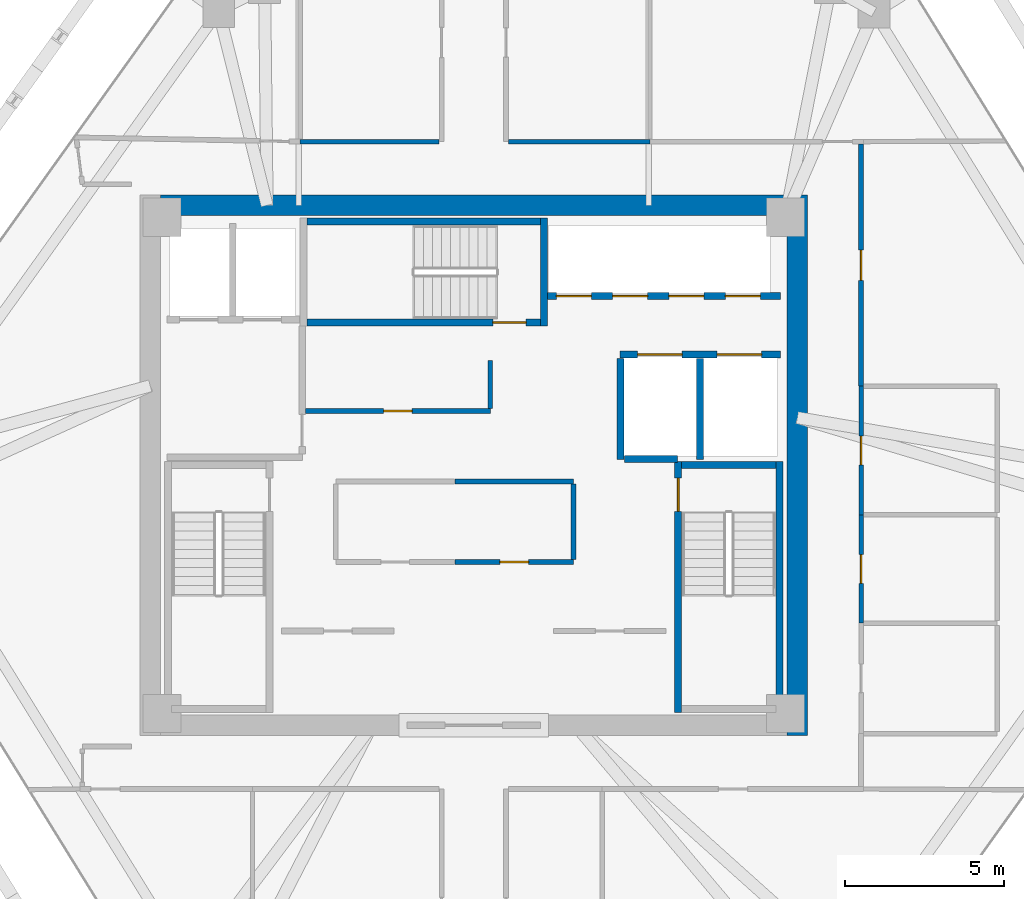
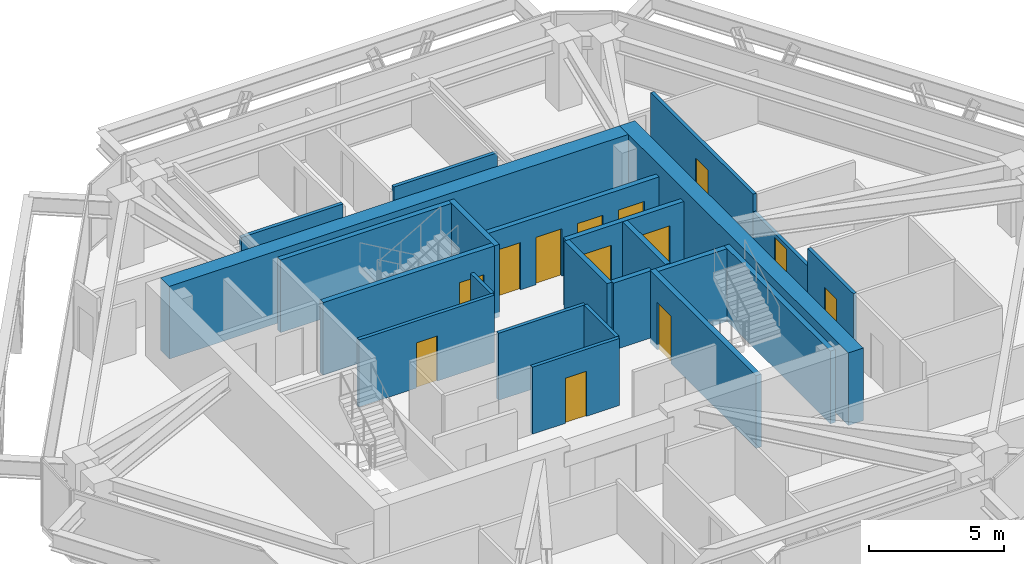
# One storey, part 9 of 11: 23 walls, 13 doors, 13 openings.
"""IFC4 building model written with IfcOpenShell, lengths in metres."""

from ifc_helpers import new_model, si_unit, direction, frame, frame_2d, origin, place, context, subcontext, project, spatial, rectangle, extrude, source, transform, mapped, material, layer, layer_set, type_object, type_shapes, element, fill, save


model = new_model("IFC4")

# Units and contexts
model_context = context("Model", 3, precision=1e-05, world=origin(), true_north=direction((0.0, 1.0)))
body_context = subcontext(model_context, "Body", "Model", "MODEL_VIEW")
ifc_project = project(units=[si_unit("LENGTHUNIT", "METRE"), si_unit("AREAUNIT", "SQUARE_METRE"), si_unit("VOLUMEUNIT", "CUBIC_METRE"), si_unit("PLANEANGLEUNIT", "RADIAN"), si_unit("MASSUNIT", "GRAM", prefix="KILO")], contexts=[model_context])

# Site, building, storey
site_placement = place(None, origin())
site = spatial("IfcSite", under=ifc_project, at=site_placement, CompositionType="ELEMENT")
building_placement = place(site_placement, origin())
building = spatial("IfcBuilding", under=site, at=building_placement, Name="Durnholm Broadcast Tower", CompositionType="ELEMENT")
storey_placement = place(building_placement, frame((0.0, 0.0, 183.699951171875)))
storey = spatial("IfcBuildingStorey", under=building, at=storey_placement, Name="L50", CompositionType="ELEMENT", Elevation=183.699951171875)

# Walls
ifc_material_1 = material(Name="Concrete C70/85", Category="concrete")
ifc_layer_1 = layer(ifc_material_1, 0.64990234375)
ifc_layer_set_1 = layer_set([ifc_layer_1], Name="Concrete C70/85")
wall_type_1 = type_object("IfcWallType", Name="WALL-CW-650", PredefinedType="SHEAR", material=ifc_layer_set_1)
wall_1_placement = place(storey_placement, frame((10.175048828125, -8.5, 0.0), z_axis=(0.0, 0.0, 1.0), x_axis=(0.0, 1.0, 0.0)))
element("IfcWall", 1, at=wall_1_placement, inside=storey, type_object=wall_type_1, Name="L50 central core shear wall CW-EAST", PredefinedType="SHEAR", context=body_context, shape_type="SweptSolid", body=[
    extrude(rectangle(XDim=17.0, YDim=0.64990234375, at=frame_2d((8.5, 0.0))), origin(), (0.0, 0.0, 1.0), 3.300048828125),
])
wall_2_placement = place(storey_placement, frame((-9.85009765625, 8.175048828125, 0.0), z_axis=(0.0, 0.0, 1.0), x_axis=(1.0, 0.0, 0.0)))
element("IfcWall", 2, at=wall_2_placement, inside=storey, type_object=wall_type_1, Name="L50 central core shear wall CW-N", PredefinedType="SHEAR", context=body_context, shape_type="SweptSolid", body=[
    extrude(rectangle(XDim=19.7001953125, YDim=0.64990234375, at=frame_2d((9.85009765625, 0.0))), origin(), (0.0, 0.0, 1.0), 3.300048828125),
])

# Wall, opening, door
ifc_material_2 = material(Name="Acoustic Gypsum Stud Partition", Category="concrete")
ifc_layer_2 = layer(ifc_material_2, 0.14990234375)
ifc_layer_set_2 = layer_set([ifc_layer_2], Name="Acoustic Gypsum Stud Partition")
wall_type_2 = type_object("IfcWallType", Name="WALL-PART-150", PredefinedType="PARTITIONING", material=ifc_layer_set_2)
wall_3_placement = place(storey_placement, frame((3.139892578125, -3.0400390625, 0.0), z_axis=(0.0, 0.0, 1.0), x_axis=(-1.0, 0.0, 0.0)))
wall_3 = element("IfcWall", 3, at=wall_3_placement, inside=storey, type_object=wall_type_2, Name="L50 High-Rise Refreshment Pantry corridor partition", PredefinedType="PARTITIONING", context=body_context, shape_type="SweptSolid", body=[
    extrude(rectangle(XDim=3.72998046875, YDim=0.14990234375, at=frame_2d((1.864990234375, 0.0))), origin(), (0.0, 0.0, 1.0), 3.045166015625),
])
opening_1_placement = place(wall_3_placement, frame((1.4150390625, 0.0, 0.0)))
opening_1 = element("IfcOpeningElement", 4, at=opening_1_placement, cuts=wall_3, Name="Opening DC-60R", PredefinedType="OPENING", context=body_context, shape_type="SweptSolid", body=[
    extrude(rectangle(XDim=0.89990234375, YDim=2.050048828125, at=frame_2d((0.449951171875, 1.02490234375))), frame((0.0, 0.0849609375, 0.0), z_axis=(0.0, -1.0, 0.0), x_axis=(1.0, 0.0, 0.0)), (0.0, 0.0, 1.0), 0.169921875),
])
ifc_material_3 = material(Name="Fire-Rated Core Service Door", Category="steel")
ifc_layer_3 = layer(ifc_material_3, 0.050048828125)
ifc_layer_set_3 = layer_set([ifc_layer_3], Name="Fire-Rated Core Service Door")
door_type_1 = type_object("IfcDoorType", Name="DOOR-CORE-FD60-R", OperationType="NOTDEFINED", PredefinedType="DOOR", material=ifc_layer_set_3)
shared_shape_1 = source(origin(), body_context, "Body", "SweptSolid", [
    extrude(rectangle(XDim=0.89990234375, YDim=2.050048828125, at=frame_2d((0.449951171875, 1.02490234375))), frame((0.0, 0.02490234375, 0.0), z_axis=(0.0, -1.0, 0.0), x_axis=(1.0, 0.0, 0.0)), (0.0, 0.0, 1.0), 0.050048828125),
])
type_shapes(door_type_1, [shared_shape_1])
door_1_placement = place(opening_1_placement, origin())
door_1 = element("IfcDoor", 5, at=door_1_placement, inside=storey, type_object=door_type_1, Name="L50 High-Rise Refreshment Pantry entrance door", OperationType="SINGLE_SWING_RIGHT", OverallHeight=2.050048828125, OverallWidth=0.89990234375, PredefinedType="DOOR", context=body_context, shape_type="MappedRepresentation", body=[
    mapped(shared_shape_1, transform((0.0, 0.0, 0.0), x_axis=(1.0, 0.0, 0.0), y_axis=(0.0, 1.0, 0.0), z_axis=(0.0, 0.0, 1.0), scale=1.0)),
])
fill(opening_1, door_1)

# Walls
wall_4_placement = place(storey_placement, frame((-0.590087890625, -0.510009765625, 0.0), z_axis=(0.0, 0.0, 1.0), x_axis=(1.0, 0.0, 0.0)))
element("IfcWall", 6, at=wall_4_placement, inside=storey, type_object=wall_type_2, Name="L50 High-Rise Refreshment Pantry corridor partition", PredefinedType="PARTITIONING", context=body_context, shape_type="SweptSolid", body=[
    extrude(rectangle(XDim=3.72998046875, YDim=0.14990234375, at=frame_2d((1.864990234375, 0.0))), origin(), (0.0, 0.0, 1.0), 3.045166015625),
])
wall_5_placement = place(storey_placement, frame((3.139892578125, -0.589111328125, 0.0), z_axis=(0.0, 0.0, 1.0), x_axis=(0.0, -1.0, 0.0)))
element("IfcWall", 7, at=wall_5_placement, inside=storey, type_object=wall_type_2, Name="L50 High-Rise Refreshment Pantry corridor partition", PredefinedType="PARTITIONING", context=body_context, shape_type="SweptSolid", body=[
    extrude(rectangle(XDim=2.371826171875, YDim=0.14990234375, at=frame_2d((1.18603515625, 0.0))), origin(), (0.0, 0.0, 1.0), 3.045166015625),
])

# Wall, opening, door
wall_6_placement = place(storey_placement, frame((0.52001953125, 1.7099609375, 0.0), z_axis=(0.0, 0.0, 1.0), x_axis=(-1.0, 0.0, 0.0)))
wall_6 = element("IfcWall", 8, at=wall_6_placement, inside=storey, type_object=wall_type_2, Name="L50 Core Housekeeping Room corridor partition", PredefinedType="PARTITIONING", context=body_context, shape_type="SweptSolid", body=[
    extrude(rectangle(XDim=5.81591796875, YDim=0.14990234375, at=frame_2d((2.907958984375, 0.0))), origin(), (0.0, 0.0, 1.0), 3.045166015625),
])
opening_2_placement = place(wall_6_placement, frame((2.4580078125, 0.0, 0.0)))
opening_2 = element("IfcOpeningElement", 9, at=opening_2_placement, cuts=wall_6, Name="Opening DC-60L", PredefinedType="OPENING", context=body_context, shape_type="SweptSolid", body=[
    extrude(rectangle(XDim=0.89990234375, YDim=2.050048828125, at=frame_2d((0.449951171875, 1.02490234375))), frame((0.0, 0.0849609375, 0.0), z_axis=(0.0, -1.0, 0.0), x_axis=(1.0, 0.0, 0.0)), (0.0, 0.0, 1.0), 0.169921875),
])
ifc_layer_4 = layer(ifc_material_3, 0.050048828125)
ifc_layer_set_4 = layer_set([ifc_layer_4], Name="Fire-Rated Core Service Door")
door_type_2 = type_object("IfcDoorType", Name="DOOR-CORE-FD60-L", OperationType="NOTDEFINED", PredefinedType="DOOR", material=ifc_layer_set_4)
shared_shape_2 = source(origin(), body_context, "Body", "SweptSolid", [
    extrude(rectangle(XDim=0.89990234375, YDim=2.050048828125, at=frame_2d((0.449951171875, 1.02490234375))), frame((0.0, 0.02490234375, 0.0), z_axis=(0.0, -1.0, 0.0), x_axis=(1.0, 0.0, 0.0)), (0.0, 0.0, 1.0), 0.050048828125),
])
type_shapes(door_type_2, [shared_shape_2])
door_2_placement = place(opening_2_placement, origin())
door_2 = element("IfcDoor", 10, at=door_2_placement, inside=storey, type_object=door_type_2, Name="L50 Core Housekeeping Room entrance door", OperationType="SINGLE_SWING_LEFT", OverallHeight=2.050048828125, OverallWidth=0.89990234375, PredefinedType="DOOR", context=body_context, shape_type="MappedRepresentation", body=[
    mapped(shared_shape_2, transform((0.0, 0.0, 0.0), x_axis=(1.0, 0.0, 0.0), y_axis=(0.0, 1.0, 0.0), z_axis=(0.0, 0.0, 1.0), scale=1.0)),
])
fill(opening_2, door_2)

# Walls
wall_7_placement = place(storey_placement, frame((0.52001953125, 3.300048828125, 0.0), z_axis=(0.0, 0.0, 1.0), x_axis=(0.0, -1.0, 0.0)))
element("IfcWall", 11, at=wall_7_placement, inside=storey, type_object=wall_type_2, Name="L50 Core Housekeeping Room corridor partition", PredefinedType="PARTITIONING", context=body_context, shape_type="SweptSolid", body=[
    extrude(rectangle(XDim=1.510986328125, YDim=0.14990234375, at=frame_2d((0.75537109375, 0.0))), origin(), (0.0, 0.0, 1.0), 3.045166015625),
])
wall_8_placement = place(storey_placement, frame((-1.089111328125, 10.179931640625, 0.0), z_axis=(0.0, 0.0, 1.0), x_axis=(-1.0, 0.0, 0.0)))
element("IfcWall", 12, at=wall_8_placement, inside=storey, type_object=wall_type_2, Name="L50 Subscriber Viewing Lounge 2 corridor partition", PredefinedType="PARTITIONING", context=body_context, shape_type="SweptSolid", body=[
    extrude(rectangle(XDim=4.370849609375, YDim=0.14990234375, at=frame_2d((2.185546875, 0.0))), origin(), (0.0, 0.0, 1.0), 2.6083984375),
])
wall_9_placement = place(storey_placement, frame((5.5400390625, 10.179931640625, 0.0), z_axis=(0.0, 0.0, 1.0), x_axis=(-1.0, 0.0, 0.0)))
element("IfcWall", 13, at=wall_9_placement, inside=storey, type_object=wall_type_2, Name="L50 Subscriber Viewing Lounge 3 corridor partition", PredefinedType="PARTITIONING", context=body_context, shape_type="SweptSolid", body=[
    extrude(rectangle(XDim=4.450927734375, YDim=0.14990234375, at=frame_2d((2.2255859375, 0.0))), origin(), (0.0, 0.0, 1.0), 2.6083984375),
])

# Wall, opening, door
wall_10_placement = place(storey_placement, frame((12.179931640625, 2.489990234375, 0.0), z_axis=(0.0, 0.0, 1.0), x_axis=(0.0, 1.0, 0.0)))
wall_10 = element("IfcWall", 14, at=wall_10_placement, inside=storey, type_object=wall_type_2, Name="L50 Open Plan Broadcast Workspace 1 corridor partition", PredefinedType="PARTITIONING", context=body_context, shape_type="SweptSolid", body=[
    extrude(rectangle(XDim=7.611083984375, YDim=0.14990234375, at=frame_2d((3.8056640625, 0.0))), origin(), (0.0, 0.0, 1.0), 3.045166015625),
])
opening_3_placement = place(wall_10_placement, frame((3.33056640625, 0.0, 0.0)))
opening_3 = element("IfcOpeningElement", 15, at=opening_3_placement, cuts=wall_10, Name="Opening DR-95L", PredefinedType="OPENING", context=body_context, shape_type="SweptSolid", body=[
    extrude(rectangle(XDim=0.949951171875, YDim=2.10009765625, at=frame_2d((0.47509765625, 1.050048828125))), frame((0.0, 0.0849609375, 0.0), z_axis=(0.0, -1.0, 0.0), x_axis=(1.0, 0.0, 0.0)), (0.0, 0.0, 1.0), 0.169921875),
])
ifc_material_4 = material(Name="Acoustic Oak Veneer Timber Door", Category="wood")
ifc_layer_5 = layer(ifc_material_4, 0.050048828125)
ifc_layer_set_5 = layer_set([ifc_layer_5], Name="Acoustic Oak Veneer Timber Door")
door_type_3 = type_object("IfcDoorType", Name="DOOR-RM-950L", OperationType="NOTDEFINED", PredefinedType="DOOR", material=ifc_layer_set_5)
shared_shape_3 = source(origin(), body_context, "Body", "SweptSolid", [
    extrude(rectangle(XDim=0.949951171875, YDim=2.10009765625, at=frame_2d((0.47509765625, 1.050048828125))), frame((0.0, 0.02490234375, 0.0), z_axis=(0.0, -1.0, 0.0), x_axis=(1.0, 0.0, 0.0)), (0.0, 0.0, 1.0), 0.050048828125),
])
type_shapes(door_type_3, [shared_shape_3])
door_3_placement = place(opening_3_placement, origin())
door_3 = element("IfcDoor", 16, at=door_3_placement, inside=storey, type_object=door_type_3, Name="L50 Open Plan Broadcast Workspace 1 entrance door", OperationType="SINGLE_SWING_LEFT", OverallHeight=2.10009765625, OverallWidth=0.949951171875, PredefinedType="DOOR", context=body_context, shape_type="MappedRepresentation", body=[
    mapped(shared_shape_3, transform((0.0, 0.0, 0.0), x_axis=(1.0, 0.0, 0.0), y_axis=(0.0, 1.0, 0.0), z_axis=(0.0, 0.0, 1.0), scale=1.0)),
])
fill(opening_3, door_3)

# Wall, openings, doors
ifc_material_5 = material(Name="Concrete Blockwork C30/37", Category="masonry")
ifc_layer_6 = layer(ifc_material_5, 0.219970703125)
ifc_layer_set_6 = layer_set([ifc_layer_6], Name="Concrete Blockwork C30/37")
wall_type_3 = type_object("IfcWallType", Name="WALL-SHAFT-220", PredefinedType="SOLIDWALL", material=ifc_layer_set_6)
wall_11_placement = place(storey_placement, frame((4.60009765625, 3.47998046875, 0.0), z_axis=(0.0, 0.0, 1.0), x_axis=(1.0, 0.0, 0.0)))
wall_11 = element("IfcWall", 17, at=wall_11_placement, inside=storey, type_object=wall_type_3, Name="L50 freight service lifts north front wall", PredefinedType="SOLIDWALL", context=body_context, shape_type="SweptSolid", body=[
    extrude(rectangle(XDim=5.0498046875, YDim=0.219970703125, at=frame_2d((2.52490234375, 0.0))), origin(), (0.0, 0.0, 1.0), 3.045166015625),
])
opening_4_placement = place(wall_11_placement, frame((0.550048828125, 0.0, 0.0)))
opening_4 = element("IfcOpeningElement", 18, at=opening_4_placement, cuts=wall_11, Name="Opening LD-SVL-2", PredefinedType="OPENING", context=body_context, shape_type="SweptSolid", body=[
    extrude(rectangle(XDim=1.39990234375, YDim=2.14990234375, at=frame_2d((0.699951171875, 1.074951171875))), frame((0.0, 0.1201171875, 0.0), z_axis=(0.0, -1.0, 0.0), x_axis=(1.0, 0.0, 0.0)), (0.0, 0.0, 1.0), 0.239990234375),
])
opening_5_placement = place(wall_11_placement, frame((3.050048828125, 0.0, 0.0)))
opening_5 = element("IfcOpeningElement", 19, at=opening_5_placement, cuts=wall_11, Name="Opening LD-SVL-1", PredefinedType="OPENING", context=body_context, shape_type="SweptSolid", body=[
    extrude(rectangle(XDim=1.39990234375, YDim=2.14990234375, at=frame_2d((0.699951171875, 1.074951171875))), frame((0.0, 0.1201171875, 0.0), z_axis=(0.0, -1.0, 0.0), x_axis=(1.0, 0.0, 0.0)), (0.0, 0.0, 1.0), 0.239990234375),
])
ifc_material_6 = material(Name="Freight Elevator Bi-Parting Sliding Landing Door", Category="steel")
ifc_layer_7 = layer(ifc_material_6, 0.050048828125)
ifc_layer_set_7 = layer_set([ifc_layer_7], Name="Freight Elevator Bi-Parting Sliding Landing Door")
door_type_4 = type_object("IfcDoorType", Name="DOOR-LIFT-SVL", OperationType="DOUBLE_DOOR_SLIDING", PredefinedType="DOOR", material=ifc_layer_set_7)
shared_shape_4 = source(origin(), body_context, "Body", "SweptSolid", [
    extrude(rectangle(XDim=1.39990234375, YDim=2.14990234375, at=frame_2d((0.699951171875, 1.074951171875))), frame((0.0, 0.02490234375, 0.0), z_axis=(0.0, -1.0, 0.0), x_axis=(1.0, 0.0, 0.0)), (0.0, 0.0, 1.0), 0.050048828125),
])
type_shapes(door_type_4, [shared_shape_4])
door_4_placement = place(opening_4_placement, origin())
door_4 = element("IfcDoor", 20, at=door_4_placement, inside=storey, type_object=door_type_4, Name="L50 freight service elevator SVL-2 sliding landing door", OperationType="DOUBLE_DOOR_SLIDING", OverallHeight=2.14990234375, OverallWidth=1.39990234375, PredefinedType="DOOR", context=body_context, shape_type="MappedRepresentation", body=[
    mapped(shared_shape_4, transform((0.0, 0.0, 0.0), x_axis=(1.0, 0.0, 0.0), y_axis=(0.0, 1.0, 0.0), z_axis=(0.0, 0.0, 1.0), scale=1.0)),
])
fill(opening_4, door_4)
door_5_placement = place(opening_5_placement, origin())
door_5 = element("IfcDoor", 21, at=door_5_placement, inside=storey, type_object=door_type_4, Name="L50 freight service elevator SVL-1 sliding landing door", OperationType="DOUBLE_DOOR_SLIDING", OverallHeight=2.14990234375, OverallWidth=1.39990234375, PredefinedType="DOOR", context=body_context, shape_type="MappedRepresentation", body=[
    mapped(shared_shape_4, transform((0.0, 0.0, 0.0), x_axis=(1.0, 0.0, 0.0), y_axis=(0.0, 1.0, 0.0), z_axis=(0.0, 0.0, 1.0), scale=1.0)),
])
fill(opening_5, door_5)

# Walls
for number, where, z_axis, x_axis, name in (
    (22, (4.6201171875, 0.179931640625, 0.0), (0.0, 0.0, 1.0), (0.0, 1.0, 0.0), "L50 freight service lift SVL-2 west wall"),
    (23, (7.1201171875, 0.179931640625, 0.0), (0.0, 0.0, 1.0), (0.0, 1.0, 0.0), "L50 freight service lifts divider wall"),
):
    element("IfcWall", number, at=place(storey_placement, frame(where, z_axis=z_axis, x_axis=x_axis)), inside=storey, type_object=wall_type_3, Name=name, PredefinedType="SOLIDWALL", context=body_context, shape_type="SweptSolid", body=[
        extrude(rectangle(XDim=3.18603515625, YDim=0.219970703125, at=frame_2d((1.593017578125, 0.0))), origin(), (0.0, 0.0, 1.0), 3.045166015625),
    ])
wall_12_placement = place(storey_placement, frame((4.73388671875, 0.199951171875, 0.0), z_axis=(0.0, 0.0, 1.0), x_axis=(1.0, 0.0, 0.0)))
element("IfcWall", 24, at=wall_12_placement, inside=storey, type_object=wall_type_3, Name="L50 freight service lift SVL-2 south wall", PredefinedType="SOLIDWALL", context=body_context, shape_type="SweptSolid", body=[
    extrude(rectangle(XDim=1.666015625, YDim=0.219970703125, at=frame_2d((0.8330078125, 0.0))), origin(), (0.0, 0.0, 1.0), 3.045166015625),
])

# Wall, openings, doors
wall_13_placement = place(storey_placement, frame((2.324951171875, 5.320068359375, 0.0), z_axis=(0.0, 0.0, 1.0), x_axis=(1.0, 0.0, 0.0)))
wall_13 = element("IfcWall", 25, at=wall_13_placement, inside=storey, type_object=wall_type_3, Name="L50 high-rise bank P3 south front wall", PredefinedType="SOLIDWALL", context=body_context, shape_type="SweptSolid", body=[
    extrude(rectangle(XDim=7.324951171875, YDim=0.219970703125, at=frame_2d((3.66259765625, 0.0))), origin(), (0.0, 0.0, 1.0), 3.045166015625),
])
opening_6_placement = place(wall_13_placement, frame((0.27490234375, 0.0, 0.0)))
opening_6 = element("IfcOpeningElement", 26, at=opening_6_placement, cuts=wall_13, Name="Opening LD-LP3-1", PredefinedType="OPENING", context=body_context, shape_type="SweptSolid", body=[
    extrude(rectangle(XDim=1.10009765625, YDim=2.14990234375, at=frame_2d((0.550048828125, 1.074951171875))), frame((0.0, 0.1201171875, 0.0), z_axis=(0.0, -1.0, 0.0), x_axis=(1.0, 0.0, 0.0)), (0.0, 0.0, 1.0), 0.239990234375),
])
opening_7_placement = place(wall_13_placement, frame((2.044921875, 0.0, 0.0)))
opening_7 = element("IfcOpeningElement", 27, at=opening_7_placement, cuts=wall_13, Name="Opening LD-LP3-2", PredefinedType="OPENING", context=body_context, shape_type="SweptSolid", body=[
    extrude(rectangle(XDim=1.10009765625, YDim=2.14990234375, at=frame_2d((0.550048828125, 1.074951171875))), frame((0.0, 0.1201171875, 0.0), z_axis=(0.0, -1.0, 0.0), x_axis=(1.0, 0.0, 0.0)), (0.0, 0.0, 1.0), 0.239990234375),
])
opening_8_placement = place(wall_13_placement, frame((3.81494140625, 0.0, 0.0)))
opening_8 = element("IfcOpeningElement", 28, at=opening_8_placement, cuts=wall_13, Name="Opening LD-LP3-3", PredefinedType="OPENING", context=body_context, shape_type="SweptSolid", body=[
    extrude(rectangle(XDim=1.10009765625, YDim=2.14990234375, at=frame_2d((0.550048828125, 1.074951171875))), frame((0.0, 0.1201171875, 0.0), z_axis=(0.0, -1.0, 0.0), x_axis=(1.0, 0.0, 0.0)), (0.0, 0.0, 1.0), 0.239990234375),
])
opening_9_placement = place(wall_13_placement, frame((5.5849609375, 0.0, 0.0)))
opening_9 = element("IfcOpeningElement", 29, at=opening_9_placement, cuts=wall_13, Name="Opening LD-LP3-4", PredefinedType="OPENING", context=body_context, shape_type="SweptSolid", body=[
    extrude(rectangle(XDim=1.10009765625, YDim=2.14990234375, at=frame_2d((0.550048828125, 1.074951171875))), frame((0.0, 0.1201171875, 0.0), z_axis=(0.0, -1.0, 0.0), x_axis=(1.0, 0.0, 0.0)), (0.0, 0.0, 1.0), 0.239990234375),
])
ifc_material_7 = material(Name="Stainless Steel Sliding Elevator Landing Door", Category="steel")
ifc_layer_8 = layer(ifc_material_7, 0.050048828125)
ifc_layer_set_8 = layer_set([ifc_layer_8], Name="Stainless Steel Sliding Elevator Landing Door")
door_type_5 = type_object("IfcDoorType", Name="DOOR-LIFT-PAX", OperationType="DOUBLE_DOOR_SLIDING", PredefinedType="DOOR", material=ifc_layer_set_8)
shared_shape_5 = source(origin(), body_context, "Body", "SweptSolid", [
    extrude(rectangle(XDim=1.10009765625, YDim=2.14990234375, at=frame_2d((0.550048828125, 1.074951171875))), frame((0.0, 0.02490234375, 0.0), z_axis=(0.0, -1.0, 0.0), x_axis=(1.0, 0.0, 0.0)), (0.0, 0.0, 1.0), 0.050048828125),
])
type_shapes(door_type_5, [shared_shape_5])
door_6_placement = place(opening_6_placement, origin())
door_6 = element("IfcDoor", 30, at=door_6_placement, inside=storey, type_object=door_type_5, Name="L50 high-rise elevator LP3-1 sliding landing door", OperationType="DOUBLE_DOOR_SLIDING", OverallHeight=2.14990234375, OverallWidth=1.10009765625, PredefinedType="DOOR", context=body_context, shape_type="MappedRepresentation", body=[
    mapped(shared_shape_5, transform((0.0, 0.0, 0.0), x_axis=(1.0, 0.0, 0.0), y_axis=(0.0, 1.0, 0.0), z_axis=(0.0, 0.0, 1.0), scale=1.0)),
])
fill(opening_6, door_6)
door_7_placement = place(opening_7_placement, origin())
door_7 = element("IfcDoor", 31, at=door_7_placement, inside=storey, type_object=door_type_5, Name="L50 high-rise elevator LP3-2 sliding landing door", OperationType="DOUBLE_DOOR_SLIDING", OverallHeight=2.14990234375, OverallWidth=1.10009765625, PredefinedType="DOOR", context=body_context, shape_type="MappedRepresentation", body=[
    mapped(shared_shape_5, transform((0.0, 0.0, 0.0), x_axis=(1.0, 0.0, 0.0), y_axis=(0.0, 1.0, 0.0), z_axis=(0.0, 0.0, 1.0), scale=1.0)),
])
fill(opening_7, door_7)
door_8_placement = place(opening_8_placement, origin())
door_8 = element("IfcDoor", 32, at=door_8_placement, inside=storey, type_object=door_type_5, Name="L50 high-rise elevator LP3-3 sliding landing door", OperationType="DOUBLE_DOOR_SLIDING", OverallHeight=2.14990234375, OverallWidth=1.10009765625, PredefinedType="DOOR", context=body_context, shape_type="MappedRepresentation", body=[
    mapped(shared_shape_5, transform((0.0, 0.0, 0.0), x_axis=(1.0, 0.0, 0.0), y_axis=(0.0, 1.0, 0.0), z_axis=(0.0, 0.0, 1.0), scale=1.0)),
])
fill(opening_8, door_8)
door_9_placement = place(opening_9_placement, origin())
door_9 = element("IfcDoor", 33, at=door_9_placement, inside=storey, type_object=door_type_5, Name="L50 high-rise elevator LP3-4 sliding landing door", OperationType="DOUBLE_DOOR_SLIDING", OverallHeight=2.14990234375, OverallWidth=1.10009765625, PredefinedType="DOOR", context=body_context, shape_type="MappedRepresentation", body=[
    mapped(shared_shape_5, transform((0.0, 0.0, 0.0), x_axis=(1.0, 0.0, 0.0), y_axis=(0.0, 1.0, 0.0), z_axis=(0.0, 0.0, 1.0), scale=1.0)),
])
fill(opening_9, door_9)

# Wall
ifc_material_8 = material(Name="Concrete C50/60", Category="concrete")
ifc_layer_9 = layer(ifc_material_8, 0.219970703125)
ifc_layer_set_9 = layer_set([ifc_layer_9], Name="Concrete C50/60")
wall_type_4 = type_object("IfcWallType", Name="WALL-SW-220", PredefinedType="SHEAR", material=ifc_layer_set_9)
wall_14_placement = place(storey_placement, frame((9.610107421875, -7.77001953125, -0.239990234375), z_axis=(0.0, 0.0, 1.0), x_axis=(0.0, 1.0, 0.0)))
element("IfcWall", 34, at=wall_14_placement, inside=storey, type_object=wall_type_4, Name="L50 stair ST-2 structural shaft wall E", PredefinedType="SHEAR", context=body_context, shape_type="SweptSolid", body=[
    extrude(rectangle(XDim=7.89013671875, YDim=0.219970703125, at=frame_2d((3.945068359375, 0.0))), origin(), (0.0, 0.0, 1.0), 3.300048828125),
])

# Wall, opening, door
wall_15_placement = place(storey_placement, frame((6.429931640625, 0.1201171875, -0.239990234375), z_axis=(0.0, 0.0, 1.0), x_axis=(0.0, -1.0, 0.0)))
wall_15 = element("IfcWall", 35, at=wall_15_placement, inside=storey, type_object=wall_type_4, Name="L50 stair ST-2 structural shaft wall W", PredefinedType="SHEAR", context=body_context, shape_type="SweptSolid", body=[
    extrude(rectangle(XDim=7.89013671875, YDim=0.219970703125, at=frame_2d((3.945068359375, 0.0))), origin(), (0.0, 0.0, 1.0), 3.300048828125),
])
opening_10_placement = place(wall_15_placement, frame((0.52001953125, 0.0, 0.0)))
opening_10 = element("IfcOpeningElement", 36, at=opening_10_placement, cuts=wall_15, Name="Opening DS-90R", PredefinedType="OPENING", context=body_context, shape_type="SweptSolid", body=[
    extrude(rectangle(XDim=1.050048828125, YDim=2.14990234375, at=frame_2d((0.52490234375, 1.074951171875))), frame((0.0, 0.1201171875, 0.0), z_axis=(0.0, -1.0, 0.0), x_axis=(1.0, 0.0, 0.0)), (0.0, 0.0, 1.0), 0.239990234375),
])
ifc_material_9 = material(Name="Fire-Rated Steel Door", Category="steel")
ifc_layer_10 = layer(ifc_material_9, 0.050048828125)
ifc_layer_set_10 = layer_set([ifc_layer_10], Name="Fire-Rated Steel Door")
door_type_6 = type_object("IfcDoorType", Name="DOOR-ST-FD90-R", OperationType="NOTDEFINED", PredefinedType="DOOR", material=ifc_layer_set_10)
shared_shape_6 = source(origin(), body_context, "Body", "SweptSolid", [
    extrude(rectangle(XDim=1.050048828125, YDim=2.14990234375, at=frame_2d((0.52490234375, 1.074951171875))), frame((0.0, 0.02490234375, 0.0), z_axis=(0.0, -1.0, 0.0), x_axis=(1.0, 0.0, 0.0)), (0.0, 0.0, 1.0), 0.050048828125),
])
type_shapes(door_type_6, [shared_shape_6])
door_10_placement = place(opening_10_placement, origin())
door_10 = element("IfcDoor", 37, at=door_10_placement, inside=storey, type_object=door_type_6, Name="L50 exit stair ST-2 fire door", OperationType="SINGLE_SWING_RIGHT", OverallHeight=2.14990234375, OverallWidth=1.050048828125, PredefinedType="DOOR", context=body_context, shape_type="MappedRepresentation", body=[
    mapped(shared_shape_6, transform((0.0, 0.0, 0.0), x_axis=(1.0, 0.0, 0.0), y_axis=(0.0, 1.0, 0.0), z_axis=(0.0, 0.0, 1.0), scale=1.0)),
])
fill(opening_10, door_10)

# Walls
wall_16_placement = place(storey_placement, frame((9.5, 0.010009765625, -0.239990234375), z_axis=(0.0, 0.0, 1.0), x_axis=(-1.0, 0.0, 0.0)))
element("IfcWall", 38, at=wall_16_placement, inside=storey, type_object=wall_type_4, Name="L50 stair ST-2 structural shaft wall N", PredefinedType="SHEAR", context=body_context, shape_type="SweptSolid", body=[
    extrude(rectangle(XDim=2.9599609375, YDim=0.219970703125, at=frame_2d((1.47998046875, 0.0))), origin(), (0.0, 0.0, 1.0), 3.300048828125),
])
wall_17_placement = place(storey_placement, frame((2.2099609375, 4.3798828125, -0.239990234375), z_axis=(0.0, 0.0, 1.0), x_axis=(0.0, 1.0, 0.0)))
element("IfcWall", 39, at=wall_17_placement, inside=storey, type_object=wall_type_4, Name="L50 stair ST-3 structural shaft wall E", PredefinedType="SHEAR", context=body_context, shape_type="SweptSolid", body=[
    extrude(rectangle(XDim=3.400146484375, YDim=0.219970703125, at=frame_2d((1.7001953125, 0.0))), origin(), (0.0, 0.0, 1.0), 3.300048828125),
])

# Wall, opening, door
wall_18_placement = place(storey_placement, frame((-5.25, 4.489990234375, -0.239990234375), z_axis=(0.0, 0.0, 1.0), x_axis=(1.0, 0.0, 0.0)))
wall_18 = element("IfcWall", 40, at=wall_18_placement, inside=storey, type_object=wall_type_4, Name="L50 stair ST-3 structural shaft wall S", PredefinedType="SHEAR", context=body_context, shape_type="SweptSolid", body=[
    extrude(rectangle(XDim=7.35009765625, YDim=0.219970703125, at=frame_2d((3.675048828125, 0.0))), origin(), (0.0, 0.0, 1.0), 3.300048828125),
])
opening_11_placement = place(wall_18_placement, frame((5.85009765625, 0.0, 0.0)))
opening_11 = element("IfcOpeningElement", 41, at=opening_11_placement, cuts=wall_18, Name="Opening DS-90L", PredefinedType="OPENING", context=body_context, shape_type="SweptSolid", body=[
    extrude(rectangle(XDim=1.050048828125, YDim=2.14990234375, at=frame_2d((0.52490234375, 1.074951171875))), frame((0.0, 0.1201171875, 0.0), z_axis=(0.0, -1.0, 0.0), x_axis=(1.0, 0.0, 0.0)), (0.0, 0.0, 1.0), 0.239990234375),
])
ifc_layer_11 = layer(ifc_material_9, 0.050048828125)
ifc_layer_set_11 = layer_set([ifc_layer_11], Name="Fire-Rated Steel Door")
door_type_7 = type_object("IfcDoorType", Name="DOOR-ST-FD90-L", OperationType="NOTDEFINED", PredefinedType="DOOR", material=ifc_layer_set_11)
shared_shape_7 = source(origin(), body_context, "Body", "SweptSolid", [
    extrude(rectangle(XDim=1.050048828125, YDim=2.14990234375, at=frame_2d((0.52490234375, 1.074951171875))), frame((0.0, 0.02490234375, 0.0), z_axis=(0.0, -1.0, 0.0), x_axis=(1.0, 0.0, 0.0)), (0.0, 0.0, 1.0), 0.050048828125),
])
type_shapes(door_type_7, [shared_shape_7])
door_11_placement = place(opening_11_placement, origin())
door_11 = element("IfcDoor", 42, at=door_11_placement, inside=storey, type_object=door_type_7, Name="L50 exit stair ST-3 fire door", OperationType="SINGLE_SWING_LEFT", OverallHeight=2.14990234375, OverallWidth=1.050048828125, PredefinedType="DOOR", context=body_context, shape_type="MappedRepresentation", body=[
    mapped(shared_shape_7, transform((0.0, 0.0, 0.0), x_axis=(1.0, 0.0, 0.0), y_axis=(0.0, 1.0, 0.0), z_axis=(0.0, 0.0, 1.0), scale=1.0)),
])
fill(opening_11, door_11)

# Wall
wall_19_placement = place(storey_placement, frame((2.10009765625, 7.669921875, -0.239990234375), z_axis=(0.0, 0.0, 1.0), x_axis=(-1.0, 0.0, 0.0)))
element("IfcWall", 43, at=wall_19_placement, inside=storey, type_object=wall_type_4, Name="L50 stair ST-3 structural shaft wall N", PredefinedType="SHEAR", context=body_context, shape_type="SweptSolid", body=[
    extrude(rectangle(XDim=7.35009765625, YDim=0.219970703125, at=frame_2d((3.675048828125, 0.0))), origin(), (0.0, 0.0, 1.0), 3.300048828125),
])

# Wall, opening, door
ifc_material_10 = material(Name="Moisture-Resistant Tile Partition", Category="concrete")
ifc_layer_12 = layer(ifc_material_10, 0.139892578125)
ifc_layer_set_12 = layer_set([ifc_layer_12], Name="Moisture-Resistant Tile Partition")
wall_type_5 = type_object("IfcWallType", Name="WALL-WC-140", PredefinedType="PARTITIONING", material=ifc_layer_set_12)
wall_20_placement = place(storey_placement, frame((12.179931640625, -4.9599609375, 0.0), z_axis=(0.0, 0.0, 1.0), x_axis=(0.0, 1.0, 0.0)))
wall_20 = element("IfcWall", 44, at=wall_20_placement, inside=storey, type_object=wall_type_5, Name="L50 Women's Restroom corridor partition", PredefinedType="PARTITIONING", context=body_context, shape_type="SweptSolid", body=[
    extrude(rectangle(XDim=3.39990234375, YDim=0.139892578125, at=frame_2d((1.699951171875, 0.0))), origin(), (0.0, 0.0, 1.0), 3.045166015625),
])
opening_12_placement = place(wall_20_placement, frame((1.25, 0.0, 0.0)))
opening_12 = element("IfcOpeningElement", 45, at=opening_12_placement, cuts=wall_20, Name="Opening DW-90L", PredefinedType="OPENING", context=body_context, shape_type="SweptSolid", body=[
    extrude(rectangle(XDim=0.89990234375, YDim=2.050048828125, at=frame_2d((0.449951171875, 1.02490234375))), frame((0.0, 0.080078125, 0.0), z_axis=(0.0, -1.0, 0.0), x_axis=(1.0, 0.0, 0.0)), (0.0, 0.0, 1.0), 0.159912109375),
])
ifc_material_11 = material(Name="Laminate Restroom Door", Category="steel")
ifc_layer_13 = layer(ifc_material_11, 0.050048828125)
ifc_layer_set_13 = layer_set([ifc_layer_13], Name="Laminate Restroom Door")
door_type_8 = type_object("IfcDoorType", Name="DOOR-WC-900L", OperationType="NOTDEFINED", PredefinedType="DOOR", material=ifc_layer_set_13)
shared_shape_8 = source(origin(), body_context, "Body", "SweptSolid", [
    extrude(rectangle(XDim=0.89990234375, YDim=2.050048828125, at=frame_2d((0.449951171875, 1.02490234375))), frame((0.0, 0.02490234375, 0.0), z_axis=(0.0, -1.0, 0.0), x_axis=(1.0, 0.0, 0.0)), (0.0, 0.0, 1.0), 0.050048828125),
])
type_shapes(door_type_8, [shared_shape_8])
door_12_placement = place(opening_12_placement, origin())
door_12 = element("IfcDoor", 46, at=door_12_placement, inside=storey, type_object=door_type_8, Name="L50 Women's Restroom entrance door", OperationType="SINGLE_SWING_LEFT", OverallHeight=2.050048828125, OverallWidth=0.89990234375, PredefinedType="DOOR", context=body_context, shape_type="MappedRepresentation", body=[
    mapped(shared_shape_8, transform((0.0, 0.0, 0.0), x_axis=(1.0, 0.0, 0.0), y_axis=(0.0, 1.0, 0.0), z_axis=(0.0, 0.0, 1.0), scale=1.0)),
])
fill(opening_12, door_12)

wall_21_placement = place(storey_placement, frame((12.179931640625, -1.56005859375, 0.0), z_axis=(0.0, 0.0, 1.0), x_axis=(0.0, 1.0, 0.0)))
wall_21 = element("IfcWall", 47, at=wall_21_placement, inside=storey, type_object=wall_type_5, Name="L50 Accessible Restroom corridor partition", PredefinedType="PARTITIONING", context=body_context, shape_type="SweptSolid", body=[
    extrude(rectangle(XDim=4.050048828125, YDim=0.139892578125, at=frame_2d((2.02490234375, 0.0))), origin(), (0.0, 0.0, 1.0), 2.241943359375),
])
opening_13_placement = place(wall_21_placement, frame((1.574951171875, 0.0, 0.0)))
opening_13 = element("IfcOpeningElement", 48, at=opening_13_placement, cuts=wall_21, Name="Opening DW-90R", PredefinedType="OPENING", context=body_context, shape_type="SweptSolid", body=[
    extrude(rectangle(XDim=0.89990234375, YDim=2.050048828125, at=frame_2d((0.449951171875, 1.02490234375))), frame((0.0, 0.080078125, 0.0), z_axis=(0.0, -1.0, 0.0), x_axis=(1.0, 0.0, 0.0)), (0.0, 0.0, 1.0), 0.159912109375),
])
ifc_layer_14 = layer(ifc_material_11, 0.050048828125)
ifc_layer_set_14 = layer_set([ifc_layer_14], Name="Laminate Restroom Door")
door_type_9 = type_object("IfcDoorType", Name="DOOR-WC-900R", OperationType="NOTDEFINED", PredefinedType="DOOR", material=ifc_layer_set_14)
shared_shape_9 = source(origin(), body_context, "Body", "SweptSolid", [
    extrude(rectangle(XDim=0.89990234375, YDim=2.050048828125, at=frame_2d((0.449951171875, 1.02490234375))), frame((0.0, 0.02490234375, 0.0), z_axis=(0.0, -1.0, 0.0), x_axis=(1.0, 0.0, 0.0)), (0.0, 0.0, 1.0), 0.050048828125),
])
type_shapes(door_type_9, [shared_shape_9])
door_13_placement = place(opening_13_placement, origin())
door_13 = element("IfcDoor", 49, at=door_13_placement, inside=storey, type_object=door_type_9, Name="L50 Accessible Restroom entrance door", OperationType="SINGLE_SWING_RIGHT", OverallHeight=2.050048828125, OverallWidth=0.89990234375, PredefinedType="DOOR", context=body_context, shape_type="MappedRepresentation", body=[
    mapped(shared_shape_9, transform((0.0, 0.0, 0.0), x_axis=(1.0, 0.0, 0.0), y_axis=(0.0, 1.0, 0.0), z_axis=(0.0, 0.0, 1.0), scale=1.0)),
])
fill(opening_13, door_13)

save(model, "model.ifc")
